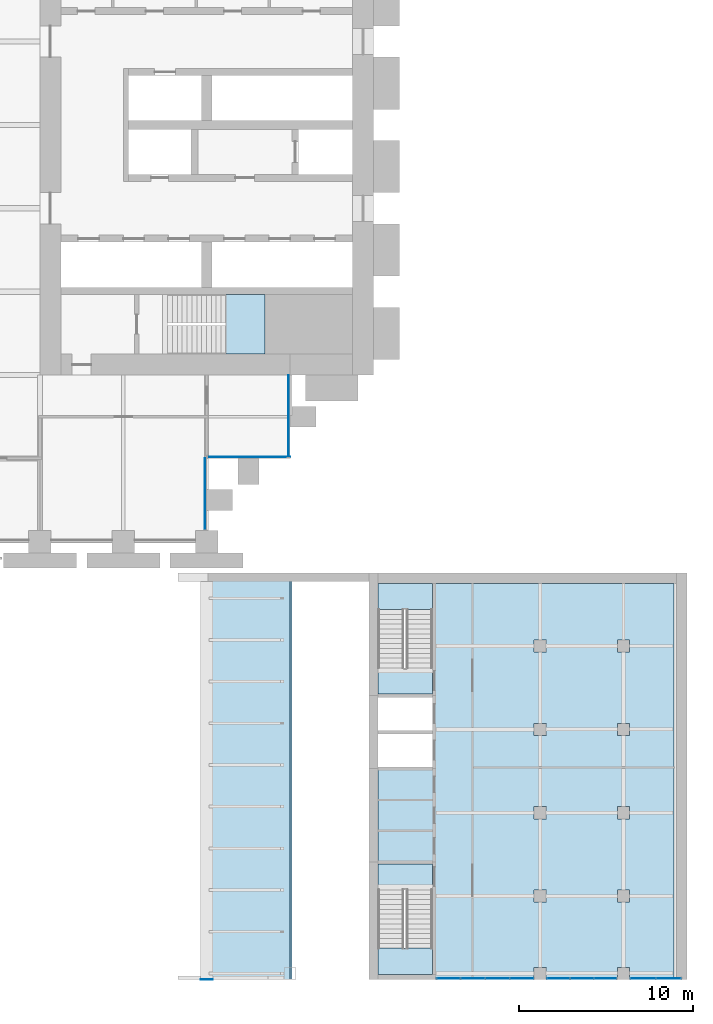
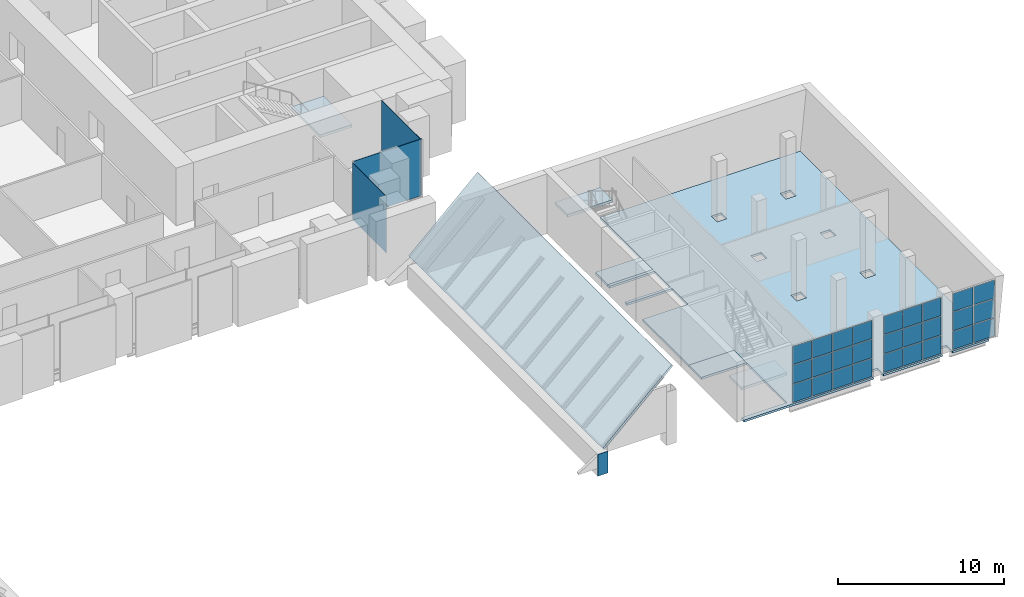
# One storey, part 18 of 30: 31 plates, 7 slabs, 9 elements without a shape of their own.
"""IFC4 building model written with IfcOpenShell, lengths in metres."""

from ifc_helpers import new_model, si_unit, direction, frame, origin, origin_2d, place, context, subcontext, project, spatial, polyline, rectangle, outline, extrude, material, layer, layer_set, type_object, element, aggregate, save


model = new_model("IFC4")

# Units and contexts
model_context = context("Model", 3, precision=1e-05, world=origin(), true_north=direction((0.0, 1.0)))
body_context = subcontext(model_context, "Body", "Model", "MODEL_VIEW")
ifc_project = project(units=[si_unit("LENGTHUNIT", "METRE"), si_unit("AREAUNIT", "SQUARE_METRE"), si_unit("VOLUMEUNIT", "CUBIC_METRE"), si_unit("PLANEANGLEUNIT", "RADIAN"), si_unit("MASSUNIT", "GRAM", prefix="KILO")], contexts=[model_context])

# Site, building, storey
site_placement = place(None, origin())
site = spatial("IfcSite", under=ifc_project, at=site_placement, CompositionType="ELEMENT")
building_placement = place(site_placement, origin())
building = spatial("IfcBuilding", under=site, at=building_placement, Name="Baori Bourse Tower", CompositionType="ELEMENT")
storey_placement = place(building_placement, frame((0.0, 0.0, 17.0)))
storey = spatial("IfcBuildingStorey", under=building, at=storey_placement, Name="L02", CompositionType="ELEMENT", Elevation=17.0)

# Curtain wall, plate
ifc_material_1 = material(Name="Pale anodised aluminium", Category="aluminium")
curtain_wall_type_1 = type_object("IfcCurtainWallType", Name="CW2 Curtain wall", PredefinedType="NOTDEFINED", material=ifc_material_1)
curtain_wall_1_placement = place(storey_placement, origin())
curtain_wall_1 = element("IfcCurtainWall", 1, at=curtain_wall_1_placement, inside=storey, type_object=curtain_wall_type_1, Name="Curtain wall CW2 L02 12", PredefinedType="NOTDEFINED")
ifc_material_2 = material(Name="Clear glass", Category="glass")
ifc_layer_1 = layer(ifc_material_2, 0.030029296875)
ifc_layer_set_1 = layer_set([ifc_layer_1], Name="CW2 Curtain wall panel")
plate_type_1 = type_object("IfcPlateType", Name="CW2 Curtain wall panel", PredefinedType="CURTAIN_PANEL", material=ifc_layer_set_1)
plate_1_placement = place(storey_placement, frame((47.909912109375, 2.75244140625, 0.070068359375), z_axis=(0.0, 0.0, 1.0), x_axis=(0.0, 1.0, 0.0)))
plate_1 = element("IfcPlate", 2, at=plate_1_placement, type_object=plate_type_1, Name="Curtain wall CW2 panel", PredefinedType="CURTAIN_PANEL", context=body_context, shape_type="SweptSolid", body=[
    extrude(rectangle(XDim=4.094970703125, YDim=0.030029296875, at=origin_2d()), origin(), (0.0, 0.0, 1.0), 4.169921875),
])
aggregate(curtain_wall_1, [plate_1])

curtain_wall_2_placement = place(storey_placement, origin())
curtain_wall_2 = element("IfcCurtainWall", 3, at=curtain_wall_2_placement, inside=storey, type_object=curtain_wall_type_1, Name="Curtain wall CW2 L02 13", PredefinedType="NOTDEFINED")
plate_2_placement = place(storey_placement, frame((50.427490234375, 4.889892578125, 0.070068359375), z_axis=(0.0, 0.0, 1.0), x_axis=(1.0, 0.0, 0.0)))
plate_2 = element("IfcPlate", 4, at=plate_2_placement, type_object=plate_type_1, Name="Curtain wall CW2 panel", PredefinedType="CURTAIN_PANEL", context=body_context, shape_type="SweptSolid", body=[
    extrude(rectangle(XDim=4.7451171875, YDim=0.030029296875, at=origin_2d()), origin(), (0.0, 0.0, 1.0), 4.169921875),
])
aggregate(curtain_wall_2, [plate_2])

curtain_wall_3_placement = place(storey_placement, origin())
curtain_wall_3 = element("IfcCurtainWall", 5, at=curtain_wall_3_placement, inside=storey, type_object=curtain_wall_type_1, Name="Curtain wall CW2 L02 14", PredefinedType="NOTDEFINED")
plate_3_placement = place(storey_placement, frame((52.7099609375, 7.2275390625, 0.070068359375), z_axis=(0.0, 0.0, 1.0), x_axis=(0.0, 1.0, 0.0)))
plate_3 = element("IfcPlate", 6, at=plate_3_placement, type_object=plate_type_1, Name="Curtain wall CW2 panel", PredefinedType="CURTAIN_PANEL", context=body_context, shape_type="SweptSolid", body=[
    extrude(rectangle(XDim=4.7451171875, YDim=0.030029296875, at=origin_2d()), origin(), (0.0, 0.0, 1.0), 4.169921875),
])
aggregate(curtain_wall_3, [plate_3])

# Stair, slab
ifc_material_3 = material(Name="Concrete f'c 50 MPa", Category="concrete")
stair_type_1 = type_object("IfcStairType", Name="Core stair", PredefinedType="HALF_TURN_STAIR", material=ifc_material_3)
stair_1_placement = place(storey_placement, origin())
stair_1 = element("IfcStair", 7, at=stair_1_placement, inside=storey, type_object=stair_type_1, Name="L02 Stair EA", PredefinedType="HALF_TURN_STAIR")
ifc_material_4 = material(Name="Concrete f'c 50 MPa", Category="concrete")
slab_type_1 = type_object("IfcSlabType", Name="Core stair landing", PredefinedType="LANDING", material=ifc_material_4)
slab_1_placement = place(storey_placement, frame((0.0, 0.0, 2.0)))
slab_1 = element("IfcSlab", 8, at=slab_1_placement, type_object=slab_type_1, Name="ST3 landing 1", PredefinedType="LANDING", context=body_context, shape_type="SweptSolid", body=[
    extrude(outline(polyline([(49.110107421875, 10.800048828125), (51.35009765625, 10.800048828125), (51.35009765625, 14.25), (49.110107421875, 14.25), (49.110107421875, 10.800048828125)])), origin(), (0.0, 0.0, 1.0), 0.199951171875),
])
aggregate(stair_1, [slab_1])

ifc_material_5 = material(Name="Concrete f'c 40 MPa", Category="concrete")
stair_type_2 = type_object("IfcStairType", Name="Wing exit stair 1500", PredefinedType="HALF_TURN_STAIR", material=ifc_material_5)
stair_2_placement = place(storey_placement, origin())
stair_2 = element("IfcStair", 9, at=stair_2_placement, inside=storey, type_object=stair_type_2, Name="L02 Exit stair EA", PredefinedType="HALF_TURN_STAIR")
ifc_material_6 = material(Name="Concrete f'c 40 MPa", Category="concrete")
ifc_layer_2 = layer(ifc_material_6, 0.159912109375)
ifc_layer_set_2 = layer_set([ifc_layer_2], Name="Exit stair arrival landing 160")
slab_type_2 = type_object("IfcSlabType", Name="Exit stair arrival landing 160", PredefinedType="LANDING", material=ifc_layer_set_2)
slab_2_placement = place(storey_placement, frame((0.0, 0.0, -0.159912109375)))
slab_2 = element("IfcSlab", 10, at=slab_2_placement, type_object=slab_type_2, Name="L02 exit stair EA arrival landing", PredefinedType="LANDING", context=body_context, shape_type="SweptSolid", body=[
    extrude(outline(polyline([(61.0, -7.258544921875), (57.85009765625, -7.258544921875), (57.85009765625, -8.760009765625), (61.0, -8.760009765625), (61.0, -7.258544921875)])), origin(), (0.0, 0.0, 1.0), 0.159912109375),
])

stair_3_placement = place(storey_placement, origin())
stair_3 = element("IfcStair", 11, at=stair_3_placement, inside=storey, type_object=stair_type_2, Name="L02 Exit stair EB", PredefinedType="HALF_TURN_STAIR")
slab_3_placement = place(storey_placement, frame((0.0, 0.0, -0.159912109375)))
slab_3 = element("IfcSlab", 12, at=slab_3_placement, type_object=slab_type_2, Name="L02 exit stair EB arrival landing", PredefinedType="LANDING", context=body_context, shape_type="SweptSolid", body=[
    extrude(outline(polyline([(57.85009765625, -20.04150390625), (61.0, -20.04150390625), (61.0, -18.5400390625), (57.85009765625, -18.5400390625), (57.85009765625, -20.04150390625)])), origin(), (0.0, 0.0, 1.0), 0.159912109375),
])

# Plate
ifc_material_7 = material(Name="Steel A572 Gr 50", Category="steel")
ifc_layer_3 = layer(ifc_material_7, 0.030029296875)
ifc_layer_set_3 = layer_set([ifc_layer_3], Name="Girder end plate 30")
plate_type_2 = type_object("IfcPlateType", Name="Girder end plate 30", PredefinedType="SHEET", material=ifc_layer_set_3)
plate_4_placement = place(storey_placement, frame((0.0, 0.0, -0.55517578125)))
element("IfcPlate", 13, at=plate_4_placement, inside=storey, type_object=plate_type_2, Name="Girder end plate", PredefinedType="SHEET", context=body_context, shape_type="SweptSolid", body=[
    extrude(outline(polyline([(47.64990234375, -25.22998046875), (48.35009765625, -25.22998046875), (48.35009765625, -25.199951171875), (47.64990234375, -25.199951171875), (47.64990234375, -25.22998046875)])), origin(), (0.0, 0.0, 1.0), 1.599853515625),
])

# Slabs
ifc_material_8 = material(Name="Concrete f'c 40 MPa", Category="concrete")
ifc_layer_4 = layer(ifc_material_8, 0.14990234375)
ifc_layer_set_4 = layer_set([ifc_layer_4], Name="Hall roof deck 150")
slab_type_3 = type_object("IfcSlabType", Name="Hall roof deck 150", PredefinedType="ROOF", material=ifc_layer_set_4)
slab_4_placement = place(storey_placement, frame((48.0, -25.199951171875, 1.347412109375), z_axis=(-0.682610869384, 0.0, 0.730782047534), x_axis=(0.730782047534, 0.0, 0.682610869384)))
element("IfcSlab", 14, at=slab_4_placement, inside=storey, type_object=slab_type_3, Name="wing/L02/deck/002", PredefinedType="ROOF", context=body_context, shape_type="SweptSolid", body=[
    extrude(outline(polyline([(0.0, 0.0), (6.56837266914413, 0.0), (6.56837266914413, 23.39990234375), (0.0, 23.39990234375), (0.0, 0.0)])), origin(), (0.0, 0.0, -1.0), 0.14990234375),
])
ifc_material_9 = material(Name="Concrete f'c 40 MPa", Category="concrete")
ifc_layer_5 = layer(ifc_material_9, 0.159912109375)
ifc_layer_set_5 = layer_set([ifc_layer_5], Name="Wing floor slab 160")
slab_type_4 = type_object("IfcSlabType", Name="Wing floor slab 160", PredefinedType="FLOOR", material=ifc_layer_set_5)
slab_5_placement = place(storey_placement, frame((0.0, 0.0, -0.159912109375)))
element("IfcSlab", 15, at=slab_5_placement, inside=storey, type_object=slab_type_4, Name="wing/L02/Efloor/001", PredefinedType="FLOOR", context=body_context, shape_type="SweptSolid", body=[
    extrude(outline(polyline([(61.0, -10.860107421875), (57.85009765625, -10.860107421875), (57.85009765625, -11.06005859375), (61.0, -11.06005859375), (61.0, -12.9599609375), (57.85009765625, -12.9599609375), (57.85009765625, -18.5400390625), (61.0, -18.5400390625), (61.0, -24.89990234375), (57.85009765625, -24.89990234375), (57.85009765625, -25.199951171875), (66.85009765625, -25.199951171875), (66.85009765625, -24.5), (67.550048828125, -24.5), (67.550048828125, -25.199951171875), (71.64990234375, -25.199951171875), (71.64990234375, -24.5), (72.35009765625, -24.5), (72.35009765625, -25.199951171875), (74.910888671875, -25.199951171875), (74.910888671875, -2.39990234375), (61.0, -2.39990234375), (61.0, -8.760009765625), (57.85009765625, -8.760009765625), (57.85009765625, -8.9599609375), (61.0, -8.9599609375), (61.0, -10.860107421875)]), holes=[polyline([(71.64990234375, -20.050048828125), (71.64990234375, -20.75), (72.35009765625, -20.75), (72.35009765625, -20.050048828125), (71.64990234375, -20.050048828125)]), polyline([(71.64990234375, -15.949951171875), (72.35009765625, -15.949951171875), (72.35009765625, -15.25), (71.64990234375, -15.25), (71.64990234375, -15.949951171875)]), polyline([(72.35009765625, -11.14990234375), (72.35009765625, -10.449951171875), (71.64990234375, -10.449951171875), (71.64990234375, -11.14990234375), (72.35009765625, -11.14990234375)]), polyline([(72.35009765625, -5.64990234375), (71.64990234375, -5.64990234375), (71.64990234375, -6.35009765625), (72.35009765625, -6.35009765625), (72.35009765625, -5.64990234375)]), polyline([(66.85009765625, -20.75), (67.550048828125, -20.75), (67.550048828125, -20.050048828125), (66.85009765625, -20.050048828125), (66.85009765625, -20.75)]), polyline([(67.550048828125, -15.949951171875), (67.550048828125, -15.25), (66.85009765625, -15.25), (66.85009765625, -15.949951171875), (67.550048828125, -15.949951171875)]), polyline([(67.550048828125, -10.449951171875), (66.85009765625, -10.449951171875), (66.85009765625, -11.14990234375), (67.550048828125, -11.14990234375), (67.550048828125, -10.449951171875)]), polyline([(66.85009765625, -5.64990234375), (66.85009765625, -6.35009765625), (67.550048828125, -6.35009765625), (67.550048828125, -5.64990234375), (66.85009765625, -5.64990234375)])]), origin(), (0.0, 0.0, 1.0), 0.159912109375),
])

# Curtain wall, plates
ifc_material_10 = material(Name="Pale anodised aluminium", Category="aluminium")
ifc_layer_6 = layer(ifc_material_10, 0.10009765625)
ifc_layer_set_6 = layer_set([ifc_layer_6], Name="Wing curtain wall")
curtain_wall_type_2 = type_object("IfcCurtainWallType", Name="Wing curtain wall", PredefinedType="NOTDEFINED", material=ifc_layer_set_6)
curtain_wall_4_placement = place(storey_placement, origin())
curtain_wall_4 = element("IfcCurtainWall", 16, at=curtain_wall_4_placement, inside=storey, type_object=curtain_wall_type_2, Name="wing/L02/Ecw/001", PredefinedType="NOTDEFINED")
ifc_material_11 = material(Name="Clear glass", Category="glass")
ifc_layer_7 = layer(ifc_material_11, 0.028076171875)
ifc_layer_set_7 = layer_set([ifc_layer_7], Name="Wing glass panel 28")
plate_type_3 = type_object("IfcPlateType", Name="Wing glass panel 28", PredefinedType="CURTAIN_PANEL", material=ifc_layer_set_7)
plate_5_placement = place(storey_placement, frame((73.114990234375, -25.14990234375, 0.06005859375), z_axis=(0.0, 0.0, 1.0), x_axis=(1.0, 0.0, 0.0)))
plate_5 = element("IfcPlate", 17, at=plate_5_placement, type_object=plate_type_3, Name="X12 panel 1.1", PredefinedType="CURTAIN_PANEL", context=body_context, shape_type="SweptSolid", body=[
    extrude(rectangle(XDim=1.409912109375, YDim=0.028076171875, at=origin_2d()), origin(), (0.0, 0.0, 1.0), 1.3232421875),
])
plate_6_placement = place(storey_placement, frame((73.114990234375, -25.14990234375, 1.443359375), z_axis=(0.0, 0.0, 1.0), x_axis=(1.0, 0.0, 0.0)))
plate_6 = element("IfcPlate", 18, at=plate_6_placement, type_object=plate_type_3, Name="X12 panel 1.2", PredefinedType="CURTAIN_PANEL", context=body_context, shape_type="SweptSolid", body=[
    extrude(rectangle(XDim=1.409912109375, YDim=0.028076171875, at=origin_2d()), origin(), (0.0, 0.0, 1.0), 1.353271484375),
])
plate_7_placement = place(storey_placement, frame((73.114990234375, -25.14990234375, 2.856689453125), z_axis=(0.0, 0.0, 1.0), x_axis=(1.0, 0.0, 0.0)))
plate_7 = element("IfcPlate", 19, at=plate_7_placement, type_object=plate_type_3, Name="X12 panel 1.3", PredefinedType="CURTAIN_PANEL", context=body_context, shape_type="SweptSolid", body=[
    extrude(rectangle(XDim=1.409912109375, YDim=0.028076171875, at=origin_2d()), origin(), (0.0, 0.0, 1.0), 1.3232421875),
])
plate_8_placement = place(storey_placement, frame((74.5849609375, -25.14990234375, 0.06005859375), z_axis=(0.0, 0.0, 1.0), x_axis=(1.0, 0.0, 0.0)))
plate_8 = element("IfcPlate", 20, at=plate_8_placement, type_object=plate_type_3, Name="X12 panel 2.1", PredefinedType="CURTAIN_PANEL", context=body_context, shape_type="SweptSolid", body=[
    extrude(rectangle(XDim=1.409912109375, YDim=0.028076171875, at=origin_2d()), origin(), (0.0, 0.0, 1.0), 1.3232421875),
])
plate_9_placement = place(storey_placement, frame((74.5849609375, -25.14990234375, 1.443359375), z_axis=(0.0, 0.0, 1.0), x_axis=(1.0, 0.0, 0.0)))
plate_9 = element("IfcPlate", 21, at=plate_9_placement, type_object=plate_type_3, Name="X12 panel 2.2", PredefinedType="CURTAIN_PANEL", context=body_context, shape_type="SweptSolid", body=[
    extrude(rectangle(XDim=1.409912109375, YDim=0.028076171875, at=origin_2d()), origin(), (0.0, 0.0, 1.0), 1.353271484375),
])
plate_10_placement = place(storey_placement, frame((74.5849609375, -25.14990234375, 2.856689453125), z_axis=(0.0, 0.0, 1.0), x_axis=(1.0, 0.0, 0.0)))
plate_10 = element("IfcPlate", 22, at=plate_10_placement, type_object=plate_type_3, Name="X12 panel 2.3", PredefinedType="CURTAIN_PANEL", context=body_context, shape_type="SweptSolid", body=[
    extrude(rectangle(XDim=1.409912109375, YDim=0.028076171875, at=origin_2d()), origin(), (0.0, 0.0, 1.0), 1.3232421875),
])
aggregate(curtain_wall_4, [plate_5, plate_6, plate_7, plate_8, plate_9, plate_10])

curtain_wall_5_placement = place(storey_placement, origin())
curtain_wall_5 = element("IfcCurtainWall", 23, at=curtain_wall_5_placement, inside=storey, type_object=curtain_wall_type_2, Name="wing/L02/Ecw/002", PredefinedType="NOTDEFINED")
plate_11_placement = place(storey_placement, frame((68.248291015625, -25.14990234375, 0.06005859375), z_axis=(0.0, 0.0, 1.0), x_axis=(1.0, 0.0, 0.0)))
plate_11 = element("IfcPlate", 24, at=plate_11_placement, type_object=plate_type_3, Name="X12 panel 1.1", PredefinedType="CURTAIN_PANEL", context=body_context, shape_type="SweptSolid", body=[
    extrude(rectangle(XDim=1.276611328125, YDim=0.028076171875, at=origin_2d()), origin(), (0.0, 0.0, 1.0), 1.3232421875),
])
plate_12_placement = place(storey_placement, frame((68.248291015625, -25.14990234375, 1.443359375), z_axis=(0.0, 0.0, 1.0), x_axis=(1.0, 0.0, 0.0)))
plate_12 = element("IfcPlate", 25, at=plate_12_placement, type_object=plate_type_3, Name="X12 panel 1.2", PredefinedType="CURTAIN_PANEL", context=body_context, shape_type="SweptSolid", body=[
    extrude(rectangle(XDim=1.276611328125, YDim=0.028076171875, at=origin_2d()), origin(), (0.0, 0.0, 1.0), 1.353271484375),
])
plate_13_placement = place(storey_placement, frame((68.248291015625, -25.14990234375, 2.856689453125), z_axis=(0.0, 0.0, 1.0), x_axis=(1.0, 0.0, 0.0)))
plate_13 = element("IfcPlate", 26, at=plate_13_placement, type_object=plate_type_3, Name="X12 panel 1.3", PredefinedType="CURTAIN_PANEL", context=body_context, shape_type="SweptSolid", body=[
    extrude(rectangle(XDim=1.276611328125, YDim=0.028076171875, at=origin_2d()), origin(), (0.0, 0.0, 1.0), 1.3232421875),
])
plate_14_placement = place(storey_placement, frame((69.60009765625, -25.14990234375, 0.06005859375), z_axis=(0.0, 0.0, 1.0), x_axis=(1.0, 0.0, 0.0)))
plate_14 = element("IfcPlate", 27, at=plate_14_placement, type_object=plate_type_3, Name="X12 panel 2.1", PredefinedType="CURTAIN_PANEL", context=body_context, shape_type="SweptSolid", body=[
    extrude(rectangle(XDim=1.306640625, YDim=0.028076171875, at=origin_2d()), origin(), (0.0, 0.0, 1.0), 1.3232421875),
])
plate_15_placement = place(storey_placement, frame((69.60009765625, -25.14990234375, 1.443359375), z_axis=(0.0, 0.0, 1.0), x_axis=(1.0, 0.0, 0.0)))
plate_15 = element("IfcPlate", 28, at=plate_15_placement, type_object=plate_type_3, Name="X12 panel 2.2", PredefinedType="CURTAIN_PANEL", context=body_context, shape_type="SweptSolid", body=[
    extrude(rectangle(XDim=1.306640625, YDim=0.028076171875, at=origin_2d()), origin(), (0.0, 0.0, 1.0), 1.353271484375),
])
plate_16_placement = place(storey_placement, frame((69.60009765625, -25.14990234375, 2.856689453125), z_axis=(0.0, 0.0, 1.0), x_axis=(1.0, 0.0, 0.0)))
plate_16 = element("IfcPlate", 29, at=plate_16_placement, type_object=plate_type_3, Name="X12 panel 2.3", PredefinedType="CURTAIN_PANEL", context=body_context, shape_type="SweptSolid", body=[
    extrude(rectangle(XDim=1.306640625, YDim=0.028076171875, at=origin_2d()), origin(), (0.0, 0.0, 1.0), 1.3232421875),
])
plate_17_placement = place(storey_placement, frame((70.95166015625, -25.14990234375, 0.06005859375), z_axis=(0.0, 0.0, 1.0), x_axis=(1.0, 0.0, 0.0)))
plate_17 = element("IfcPlate", 30, at=plate_17_placement, type_object=plate_type_3, Name="X12 panel 3.1", PredefinedType="CURTAIN_PANEL", context=body_context, shape_type="SweptSolid", body=[
    extrude(rectangle(XDim=1.276611328125, YDim=0.028076171875, at=origin_2d()), origin(), (0.0, 0.0, 1.0), 1.3232421875),
])
plate_18_placement = place(storey_placement, frame((70.95166015625, -25.14990234375, 1.443359375), z_axis=(0.0, 0.0, 1.0), x_axis=(1.0, 0.0, 0.0)))
plate_18 = element("IfcPlate", 31, at=plate_18_placement, type_object=plate_type_3, Name="X12 panel 3.2", PredefinedType="CURTAIN_PANEL", context=body_context, shape_type="SweptSolid", body=[
    extrude(rectangle(XDim=1.276611328125, YDim=0.028076171875, at=origin_2d()), origin(), (0.0, 0.0, 1.0), 1.353271484375),
])
plate_19_placement = place(storey_placement, frame((70.95166015625, -25.14990234375, 2.856689453125), z_axis=(0.0, 0.0, 1.0), x_axis=(1.0, 0.0, 0.0)))
plate_19 = element("IfcPlate", 32, at=plate_19_placement, type_object=plate_type_3, Name="X12 panel 3.3", PredefinedType="CURTAIN_PANEL", context=body_context, shape_type="SweptSolid", body=[
    extrude(rectangle(XDim=1.276611328125, YDim=0.028076171875, at=origin_2d()), origin(), (0.0, 0.0, 1.0), 1.3232421875),
])
aggregate(curtain_wall_5, [plate_11, plate_12, plate_13, plate_14, plate_15, plate_16, plate_17, plate_18, plate_19])

curtain_wall_6_placement = place(storey_placement, origin())
curtain_wall_6 = element("IfcCurtainWall", 33, at=curtain_wall_6_placement, inside=storey, type_object=curtain_wall_type_2, Name="wing/L02/Ecw/003", PredefinedType="NOTDEFINED")
plate_20_placement = place(storey_placement, frame((61.921142578125, -25.14990234375, 0.06005859375), z_axis=(0.0, 0.0, 1.0), x_axis=(1.0, 0.0, 0.0)))
plate_20 = element("IfcPlate", 34, at=plate_20_placement, type_object=plate_type_3, Name="X12 panel 1.1", PredefinedType="CURTAIN_PANEL", context=body_context, shape_type="SweptSolid", body=[
    extrude(rectangle(XDim=1.322509765625, YDim=0.028076171875, at=origin_2d()), origin(), (0.0, 0.0, 1.0), 1.3232421875),
])
plate_21_placement = place(storey_placement, frame((61.921142578125, -25.14990234375, 1.443359375), z_axis=(0.0, 0.0, 1.0), x_axis=(1.0, 0.0, 0.0)))
plate_21 = element("IfcPlate", 35, at=plate_21_placement, type_object=plate_type_3, Name="X12 panel 1.2", PredefinedType="CURTAIN_PANEL", context=body_context, shape_type="SweptSolid", body=[
    extrude(rectangle(XDim=1.322509765625, YDim=0.028076171875, at=origin_2d()), origin(), (0.0, 0.0, 1.0), 1.353271484375),
])
plate_22_placement = place(storey_placement, frame((61.921142578125, -25.14990234375, 2.856689453125), z_axis=(0.0, 0.0, 1.0), x_axis=(1.0, 0.0, 0.0)))
plate_22 = element("IfcPlate", 36, at=plate_22_placement, type_object=plate_type_3, Name="X12 panel 1.3", PredefinedType="CURTAIN_PANEL", context=body_context, shape_type="SweptSolid", body=[
    extrude(rectangle(XDim=1.322509765625, YDim=0.028076171875, at=origin_2d()), origin(), (0.0, 0.0, 1.0), 1.3232421875),
])
plate_23_placement = place(storey_placement, frame((63.31884765625, -25.14990234375, 0.06005859375), z_axis=(0.0, 0.0, 1.0), x_axis=(1.0, 0.0, 0.0)))
plate_23 = element("IfcPlate", 37, at=plate_23_placement, type_object=plate_type_3, Name="X12 panel 2.1", PredefinedType="CURTAIN_PANEL", context=body_context, shape_type="SweptSolid", body=[
    extrude(rectangle(XDim=1.3525390625, YDim=0.028076171875, at=origin_2d()), origin(), (0.0, 0.0, 1.0), 1.3232421875),
])
plate_24_placement = place(storey_placement, frame((63.31884765625, -25.14990234375, 1.443359375), z_axis=(0.0, 0.0, 1.0), x_axis=(1.0, 0.0, 0.0)))
plate_24 = element("IfcPlate", 38, at=plate_24_placement, type_object=plate_type_3, Name="X12 panel 2.2", PredefinedType="CURTAIN_PANEL", context=body_context, shape_type="SweptSolid", body=[
    extrude(rectangle(XDim=1.3525390625, YDim=0.028076171875, at=origin_2d()), origin(), (0.0, 0.0, 1.0), 1.353271484375),
])
plate_25_placement = place(storey_placement, frame((63.31884765625, -25.14990234375, 2.856689453125), z_axis=(0.0, 0.0, 1.0), x_axis=(1.0, 0.0, 0.0)))
plate_25 = element("IfcPlate", 39, at=plate_25_placement, type_object=plate_type_3, Name="X12 panel 2.3", PredefinedType="CURTAIN_PANEL", context=body_context, shape_type="SweptSolid", body=[
    extrude(rectangle(XDim=1.3525390625, YDim=0.028076171875, at=origin_2d()), origin(), (0.0, 0.0, 1.0), 1.3232421875),
])
plate_26_placement = place(storey_placement, frame((64.731201171875, -25.14990234375, 0.06005859375), z_axis=(0.0, 0.0, 1.0), x_axis=(1.0, 0.0, 0.0)))
plate_26 = element("IfcPlate", 40, at=plate_26_placement, type_object=plate_type_3, Name="X12 panel 3.1", PredefinedType="CURTAIN_PANEL", context=body_context, shape_type="SweptSolid", body=[
    extrude(rectangle(XDim=1.3525390625, YDim=0.028076171875, at=origin_2d()), origin(), (0.0, 0.0, 1.0), 1.3232421875),
])
plate_27_placement = place(storey_placement, frame((64.731201171875, -25.14990234375, 1.443359375), z_axis=(0.0, 0.0, 1.0), x_axis=(1.0, 0.0, 0.0)))
plate_27 = element("IfcPlate", 41, at=plate_27_placement, type_object=plate_type_3, Name="X12 panel 3.2", PredefinedType="CURTAIN_PANEL", context=body_context, shape_type="SweptSolid", body=[
    extrude(rectangle(XDim=1.3525390625, YDim=0.028076171875, at=origin_2d()), origin(), (0.0, 0.0, 1.0), 1.353271484375),
])
plate_28_placement = place(storey_placement, frame((64.731201171875, -25.14990234375, 2.856689453125), z_axis=(0.0, 0.0, 1.0), x_axis=(1.0, 0.0, 0.0)))
plate_28 = element("IfcPlate", 42, at=plate_28_placement, type_object=plate_type_3, Name="X12 panel 3.3", PredefinedType="CURTAIN_PANEL", context=body_context, shape_type="SweptSolid", body=[
    extrude(rectangle(XDim=1.3525390625, YDim=0.028076171875, at=origin_2d()), origin(), (0.0, 0.0, 1.0), 1.3232421875),
])
plate_29_placement = place(storey_placement, frame((66.128662109375, -25.14990234375, 0.06005859375), z_axis=(0.0, 0.0, 1.0), x_axis=(1.0, 0.0, 0.0)))
plate_29 = element("IfcPlate", 43, at=plate_29_placement, type_object=plate_type_3, Name="X12 panel 4.1", PredefinedType="CURTAIN_PANEL", context=body_context, shape_type="SweptSolid", body=[
    extrude(rectangle(XDim=1.322509765625, YDim=0.028076171875, at=origin_2d()), origin(), (0.0, 0.0, 1.0), 1.3232421875),
])
plate_30_placement = place(storey_placement, frame((66.128662109375, -25.14990234375, 1.443359375), z_axis=(0.0, 0.0, 1.0), x_axis=(1.0, 0.0, 0.0)))
plate_30 = element("IfcPlate", 44, at=plate_30_placement, type_object=plate_type_3, Name="X12 panel 4.2", PredefinedType="CURTAIN_PANEL", context=body_context, shape_type="SweptSolid", body=[
    extrude(rectangle(XDim=1.322509765625, YDim=0.028076171875, at=origin_2d()), origin(), (0.0, 0.0, 1.0), 1.353271484375),
])
plate_31_placement = place(storey_placement, frame((66.128662109375, -25.14990234375, 2.856689453125), z_axis=(0.0, 0.0, 1.0), x_axis=(1.0, 0.0, 0.0)))
plate_31 = element("IfcPlate", 45, at=plate_31_placement, type_object=plate_type_3, Name="X12 panel 4.3", PredefinedType="CURTAIN_PANEL", context=body_context, shape_type="SweptSolid", body=[
    extrude(rectangle(XDim=1.322509765625, YDim=0.028076171875, at=origin_2d()), origin(), (0.0, 0.0, 1.0), 1.3232421875),
])
aggregate(curtain_wall_6, [plate_20, plate_21, plate_22, plate_23, plate_24, plate_25, plate_26, plate_27, plate_28, plate_29, plate_30, plate_31])

# Slab
ifc_material_12 = material(Name="Concrete f'c 40 MPa", Category="concrete")
ifc_layer_8 = layer(ifc_material_12, 0.199951171875)
ifc_layer_set_8 = layer_set([ifc_layer_8], Name="Wing stair landing 200")
slab_type_5 = type_object("IfcSlabType", Name="Wing stair landing 200", PredefinedType="LANDING", material=ifc_layer_set_8)
slab_6_placement = place(storey_placement, frame((0.0, 0.0, 2.0)))
slab_6 = element("IfcSlab", 46, at=slab_6_placement, type_object=slab_type_5, Name="E-STA landing 1", PredefinedType="LANDING", context=body_context, shape_type="SweptSolid", body=[
    extrude(outline(polyline([(61.0, -3.89990234375), (61.0, -2.39990234375), (57.85009765625, -2.39990234375), (57.85009765625, -3.89990234375), (61.0, -3.89990234375)])), origin(), (0.0, 0.0, 1.0), 0.199951171875),
])

aggregate(stair_2, [slab_6, slab_2])

slab_7_placement = place(storey_placement, frame((0.0, 0.0, 2.0)))
slab_7 = element("IfcSlab", 47, at=slab_7_placement, type_object=slab_type_5, Name="E-STB landing 1", PredefinedType="LANDING", context=body_context, shape_type="SweptSolid", body=[
    extrude(outline(polyline([(57.85009765625, -23.39990234375), (57.85009765625, -24.89990234375), (61.0, -24.89990234375), (61.0, -23.39990234375), (57.85009765625, -23.39990234375)])), origin(), (0.0, 0.0, 1.0), 0.199951171875),
])

aggregate(stair_3, [slab_7, slab_3])

save(model, "model.ifc")
